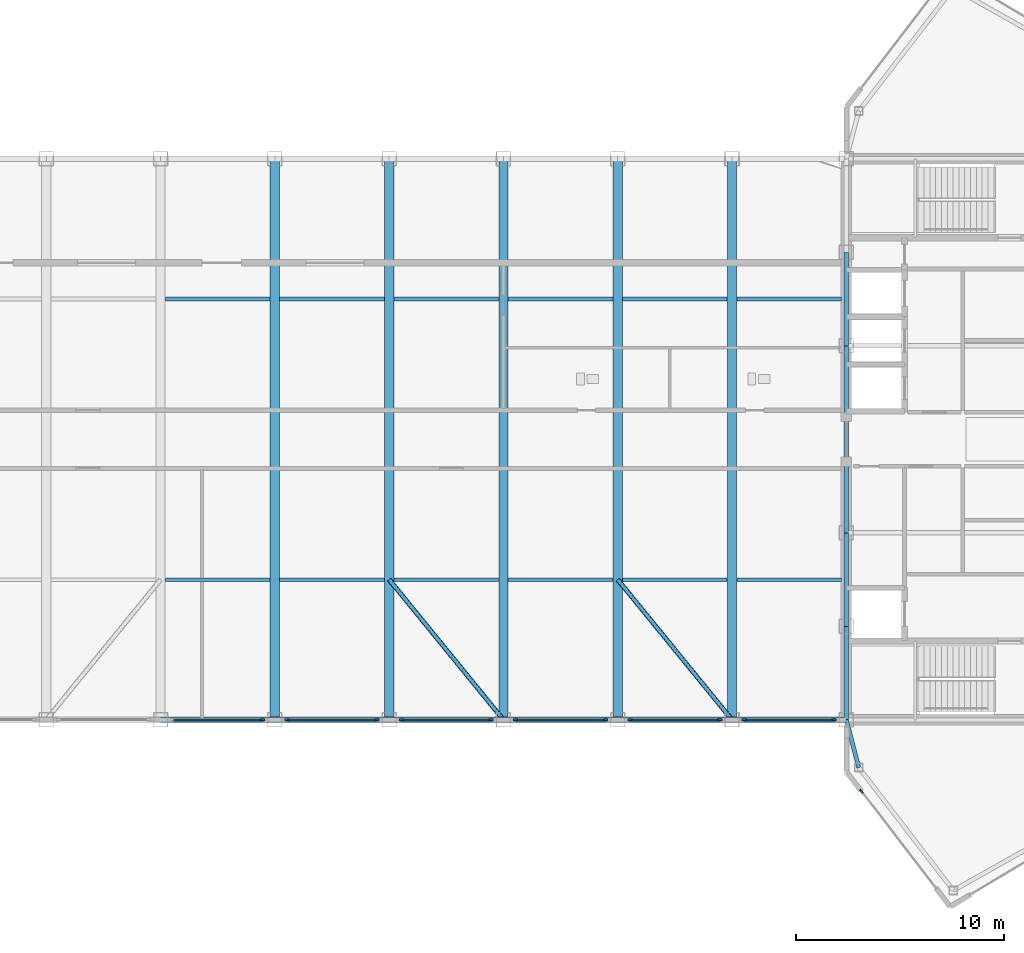
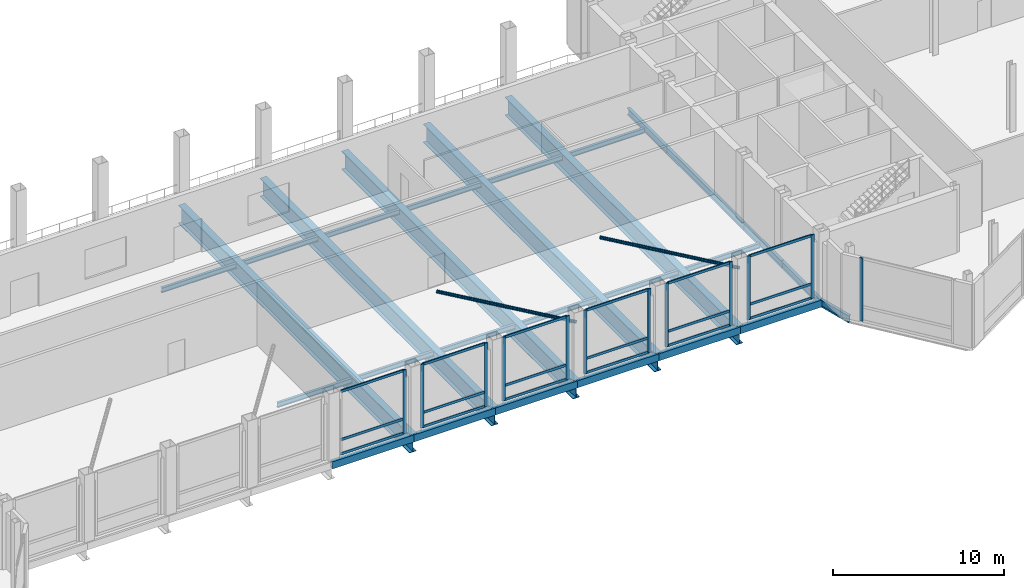
# One storey, part 13 of 28: 32 members, 28 beams, 7 elements without a shape of their own.
"""IFC4 building model written with IfcOpenShell, lengths in metres."""

from ifc_helpers import new_model, si_unit, direction, frame, origin, origin_2d, place, context, subcontext, project, spatial, rectangle, hollow_rectangle, hollow_circle, i_section, extrude, source, transform, mapped, material, layer, layer_set, material_profile, profile_set, type_object, type_shapes, element, aggregate, save


model = new_model("IFC4")

# Units and contexts
model_context = context("Model", 3, precision=1e-05, world=origin(), true_north=direction((0.0, 1.0)))
body_context = subcontext(model_context, "Body", "Model", "MODEL_VIEW")
ifc_project = project(units=[si_unit("LENGTHUNIT", "METRE"), si_unit("AREAUNIT", "SQUARE_METRE"), si_unit("VOLUMEUNIT", "CUBIC_METRE"), si_unit("PLANEANGLEUNIT", "RADIAN"), si_unit("MASSUNIT", "GRAM", prefix="KILO")], contexts=[model_context])

# Site, building, storey
site_placement = place(None, origin())
site = spatial("IfcSite", under=ifc_project, at=site_placement, CompositionType="ELEMENT")
building_placement = place(site_placement, origin())
building = spatial("IfcBuilding", under=site, at=building_placement, Name="Seokmaru Belvedere", CompositionType="ELEMENT")
storey_placement = place(building_placement, frame((0.0, 0.0, 274.199951171875)))
storey = spatial("IfcBuildingStorey", under=building, at=storey_placement, Name="L72", CompositionType="ELEMENT", Elevation=274.199951171875)

# Beams
ifc_material_1 = material(Name="Steel SM355 (355 MPa)", Category="steel")
ifc_material_profile_1 = material_profile(ifc_material_1, i_section(OverallWidth=0.199951171875, OverallDepth=0.5, WebThickness=0.010009765625, FlangeThickness=0.01611328125, at=origin_2d()), Name="H-500x200x10x16")
ifc_profile_set_1 = profile_set([ifc_material_profile_1], Name="Steel SM355 (355 MPa)")
beam_type_1 = type_object("IfcBeamType", Name="Perimeter Spandrel Beam H-500", PredefinedType="SPANDREL", material=ifc_profile_set_1)
shared_shape_1 = source(origin(), body_context, "Body", "SweptSolid", [
    extrude(i_section(OverallWidth=0.199951171875, OverallDepth=0.5, WebThickness=0.010009765625, FlangeThickness=0.01611328125, at=origin_2d()), origin(), (0.0, 0.0, 1.0), 4.5),
])
for number, where, z_axis, x_axis, name in (
    (1, (27.5, -13.5, -0.510009765625), (0.0, 1.0, 0.0), (-1.0, 0.0, 0.0), "L72 E Portal Spine Spandrel 1"),
    (2, (27.5, -9.0, -0.510009765625), (0.0, 1.0, 0.0), (-1.0, 0.0, 0.0), "L72 E Portal Spine Spandrel 2"),
    (3, (27.5, 4.5, -0.510009765625), (0.0, 1.0, 0.0), (-1.0, 0.0, 0.0), "L72 E Portal Spine Spandrel 4"),
):
    element("IfcBeam", number, at=place(storey_placement, frame(where, z_axis=z_axis, x_axis=x_axis)), inside=storey, type_object=beam_type_1, Name=name, PredefinedType="SPANDREL", context=body_context, shape_type="MappedRepresentation", body=[
        mapped(shared_shape_1, transform((0.0, 0.0, 0.0), scale=1.0)),
    ])
shared_shape_2 = source(origin(), body_context, "Body", "SweptSolid", [
    extrude(i_section(OverallWidth=0.199951171875, OverallDepth=0.5, WebThickness=0.010009765625, FlangeThickness=0.01611328125, at=origin_2d()), origin(), (0.0, 0.0, 1.0), 9.0),
])
beam_1_placement = place(storey_placement, frame((27.5, -4.5, -0.510009765625), z_axis=(0.0, 1.0, 0.0), x_axis=(-1.0, 0.0, 0.0)))
element("IfcBeam", 4, at=beam_1_placement, inside=storey, type_object=beam_type_1, Name="L72 E Portal Spine Spandrel 3", PredefinedType="SPANDREL", context=body_context, shape_type="MappedRepresentation", body=[
    mapped(shared_shape_2, transform((0.0, 0.0, 0.0), scale=1.0)),
])
shared_shape_3 = source(origin(), body_context, "Body", "SweptSolid", [
    extrude(i_section(OverallWidth=0.199951171875, OverallDepth=0.5, WebThickness=0.010009765625, FlangeThickness=0.01611328125, at=origin_2d()), origin(), (0.0, 0.0, 1.0), 2.373046875),
])
type_shapes(beam_type_1, [shared_shape_1, shared_shape_2, shared_shape_3])
beam_2_placement = place(storey_placement, frame((28.10009765625, -15.7958984375, -0.510009765625), z_axis=(-0.252882558842, 0.967496982648, 0.0), x_axis=(-0.967496982648, -0.252882558842, 0.0)))
element("IfcBeam", 5, at=beam_2_placement, inside=storey, type_object=beam_type_1, Name="L72 E Shoulder Spine Spandrel S", PredefinedType="SPANDREL", context=body_context, shape_type="MappedRepresentation", body=[
    mapped(shared_shape_3, transform((0.0, 0.0, 0.0), scale=1.0)),
])
ifc_material_profile_2 = material_profile(ifc_material_1, hollow_rectangle(XDim=0.25, YDim=0.5, WallThickness=0.013916015625, at=origin_2d()), Name="RHS-500x250x14")
ifc_profile_set_2 = profile_set([ifc_material_profile_2], Name="Steel SM355 (355 MPa)")
beam_type_2 = type_object("IfcBeamType", Name="Bridge Edge Spandrel RHS-500", PredefinedType="SPANDREL", material=ifc_profile_set_2)
shared_shape_4 = source(origin(), body_context, "Body", "SweptSolid", [
    extrude(hollow_rectangle(XDim=0.25, YDim=0.5, WallThickness=0.013916015625, at=origin_2d()), origin(), (0.0, 0.0, 1.0), 5.5),
])
type_shapes(beam_type_2, [shared_shape_4])
for number, where, z_axis, x_axis, name in (
    (6, (-5.5, -13.5, -0.510009765625), (1.0, 0.0, 0.0), (0.0, 1.0, 0.0), "L72 Sky-Gate Bridge Edge Girder S-05"),
    (7, (0.0, -13.5, -0.510009765625), (1.0, 0.0, 0.0), (0.0, 1.0, 0.0), "L72 Sky-Gate Bridge Edge Girder S-06"),
    (8, (5.5, -13.5, -0.510009765625), (1.0, 0.0, 0.0), (0.0, 1.0, 0.0), "L72 Sky-Gate Bridge Edge Girder S-07"),
    (9, (11.0, -13.5, -0.510009765625), (1.0, 0.0, 0.0), (0.0, 1.0, 0.0), "L72 Sky-Gate Bridge Edge Girder S-08"),
    (10, (16.5, -13.5, -0.510009765625), (1.0, 0.0, 0.0), (0.0, 1.0, 0.0), "L72 Sky-Gate Bridge Edge Girder S-09"),
    (11, (22.0, -13.5, -0.510009765625), (1.0, 0.0, 0.0), (0.0, 1.0, 0.0), "L72 Sky-Gate Bridge Edge Girder S-10"),
):
    element("IfcBeam", number, at=place(storey_placement, frame(where, z_axis=z_axis, x_axis=x_axis)), inside=storey, type_object=beam_type_2, Name=name, PredefinedType="SPANDREL", context=body_context, shape_type="MappedRepresentation", body=[
        mapped(shared_shape_4, transform((0.0, 0.0, 0.0), scale=1.0)),
    ])
ifc_material_2 = material(Name="Steel HSA650 (650 MPa)", Category="steel")
ifc_material_profile_3 = material_profile(ifc_material_2, i_section(OverallWidth=0.449951171875, OverallDepth=1.300048828125, WebThickness=0.02197265625, FlangeThickness=0.0380859375, at=origin_2d()), Name="BH-1300x450x22x38")
ifc_profile_set_3 = profile_set([ifc_material_profile_3], Name="Steel HSA650 (650 MPa)")
beam_type_3 = type_object("IfcBeamType", Name="Observatory Long-Span Roof Girder BH-1300", PredefinedType="BEAM", material=ifc_profile_set_3)
shared_shape_5 = source(origin(), body_context, "Body", "SweptSolid", [
    extrude(i_section(OverallWidth=0.449951171875, OverallDepth=1.300048828125, WebThickness=0.02197265625, FlangeThickness=0.0380859375, at=origin_2d()), origin(), (0.0, 0.0, 1.0), 27.0),
])
type_shapes(beam_type_3, [shared_shape_5])
for number, where, z_axis, x_axis, name in (
    (12, (0.0, -13.5, -0.909912109375), (0.0, 1.0, 0.0), (-1.0, 0.0, 0.0), "L72 Sky-Gate Transverse Girder 05"),
    (13, (5.5, -13.5, -0.909912109375), (0.0, 1.0, 0.0), (-1.0, 0.0, 0.0), "L72 Sky-Gate Transverse Girder 06"),
    (14, (11.0, -13.5, -0.909912109375), (0.0, 1.0, 0.0), (-1.0, 0.0, 0.0), "L72 Sky-Gate Transverse Girder 07"),
    (15, (16.5, -13.5, -0.909912109375), (0.0, 1.0, 0.0), (-1.0, 0.0, 0.0), "L72 Sky-Gate Transverse Girder 08"),
    (16, (22.0, -13.5, -0.909912109375), (0.0, 1.0, 0.0), (-1.0, 0.0, 0.0), "L72 Sky-Gate Transverse Girder 09"),
):
    element("IfcBeam", number, at=place(storey_placement, frame(where, z_axis=z_axis, x_axis=x_axis)), inside=storey, type_object=beam_type_3, Name=name, PredefinedType="BEAM", context=body_context, shape_type="MappedRepresentation", body=[
        mapped(shared_shape_5, transform((0.0, 0.0, 0.0), scale=1.0)),
    ])
ifc_material_profile_4 = material_profile(ifc_material_1, i_section(OverallWidth=0.175048828125, OverallDepth=0.35009765625, WebThickness=0.007080078125, FlangeThickness=0.010986328125, at=origin_2d()), Name="H-350x175x7x11")
ifc_profile_set_4 = profile_set([ifc_material_profile_4], Name="Steel SM355 (355 MPa)")
beam_type_4 = type_object("IfcBeamType", Name="Secondary Floor Joist H-300", PredefinedType="JOIST", material=ifc_profile_set_4)
shared_shape_6 = source(origin(), body_context, "Body", "SweptSolid", [
    extrude(i_section(OverallWidth=0.175048828125, OverallDepth=0.35009765625, WebThickness=0.007080078125, FlangeThickness=0.010986328125, at=origin_2d()), origin(), (0.0, 0.0, 1.0), 5.0400390625),
])
type_shapes(beam_type_4, [shared_shape_6])
for number, where, z_axis, x_axis, name in (
    (17, (-5.27001953125, -6.75, -0.43505859375), (1.0, 0.0, 0.0), (0.0, 1.0, 0.0), "L72 Sky-Gate Secondary Joist S-05"),
    (18, (0.22998046875, -6.75, -0.43505859375), (1.0, 0.0, 0.0), (0.0, 1.0, 0.0), "L72 Sky-Gate Secondary Joist S-06"),
    (19, (5.72998046875, -6.75, -0.43505859375), (1.0, 0.0, 0.0), (0.0, 1.0, 0.0), "L72 Sky-Gate Secondary Joist S-07"),
    (20, (11.22998046875, -6.75, -0.43505859375), (1.0, 0.0, 0.0), (0.0, 1.0, 0.0), "L72 Sky-Gate Secondary Joist S-08"),
    (21, (16.72998046875, -6.75, -0.43505859375), (1.0, 0.0, 0.0), (0.0, 1.0, 0.0), "L72 Sky-Gate Secondary Joist S-09"),
    (22, (22.22998046875, -6.75, -0.43505859375), (1.0, 0.0, 0.0), (0.0, 1.0, 0.0), "L72 Sky-Gate Secondary Joist S-10"),
    (23, (-5.27001953125, 6.75, -0.43505859375), (1.0, 0.0, 0.0), (0.0, 1.0, 0.0), "L72 Sky-Gate Secondary Joist N-05"),
    (24, (0.22998046875, 6.75, -0.43505859375), (1.0, 0.0, 0.0), (0.0, 1.0, 0.0), "L72 Sky-Gate Secondary Joist N-06"),
    (25, (5.72998046875, 6.75, -0.43505859375), (1.0, 0.0, 0.0), (0.0, 1.0, 0.0), "L72 Sky-Gate Secondary Joist N-07"),
    (26, (11.22998046875, 6.75, -0.43505859375), (1.0, 0.0, 0.0), (0.0, 1.0, 0.0), "L72 Sky-Gate Secondary Joist N-08"),
    (27, (16.72998046875, 6.75, -0.43505859375), (1.0, 0.0, 0.0), (0.0, 1.0, 0.0), "L72 Sky-Gate Secondary Joist N-09"),
    (28, (22.22998046875, 6.75, -0.43505859375), (1.0, 0.0, 0.0), (0.0, 1.0, 0.0), "L72 Sky-Gate Secondary Joist N-10"),
):
    element("IfcBeam", number, at=place(storey_placement, frame(where, z_axis=z_axis, x_axis=x_axis)), inside=storey, type_object=beam_type_4, Name=name, PredefinedType="JOIST", context=body_context, shape_type="MappedRepresentation", body=[
        mapped(shared_shape_6, transform((0.0, 0.0, 0.0), scale=1.0)),
    ])

# Members
ifc_material_profile_5 = material_profile(ifc_material_1, hollow_circle(Radius=0.108154296875, WallThickness=0.00830078125, at=origin_2d()), Name="CHS-216.3x8.2")
ifc_profile_set_5 = profile_set([ifc_material_profile_5], Name="Steel SM355 (355 MPa)")
member_type_1 = type_object("IfcMemberType", Name="Observatory Roof Wind Strut CHS-216", PredefinedType="BRACE", material=ifc_profile_set_5)
shared_shape_7 = source(origin(), body_context, "Body", "SweptSolid", [
    extrude(hollow_circle(Radius=0.108154296875, WallThickness=0.00830078125, at=origin_2d()), origin(), (0.0, 0.0, 1.0), 8.70703125),
])
type_shapes(member_type_1, [shared_shape_7])
for number, where, z_axis, x_axis, name in (
    (29, (11.0, -13.5, 3.8701171875), (-0.631672951162, 0.775234985517, 0.0), (-0.775234985517, -0.631672951162, 0.0), "L72 Observatory Under-Roof Wind Strut 3"),
    (30, (22.0, -13.5, 3.8701171875), (-0.631672951162, 0.775234985517, 0.0), (-0.775234985517, -0.631672951162, 0.0), "L72 Observatory Under-Roof Wind Strut 4"),
):
    element("IfcMember", number, at=place(storey_placement, frame(where, z_axis=z_axis, x_axis=x_axis)), inside=storey, type_object=member_type_1, Name=name, PredefinedType="BRACE", context=body_context, shape_type="MappedRepresentation", body=[
        mapped(shared_shape_7, transform((0.0, 0.0, 0.0), scale=1.0)),
    ])

# Curtain wall, members
ifc_material_3 = material(Name="Bronze Triple Insulating Glass", Category="glass")
ifc_layer = layer(ifc_material_3, 0.219970703125)
ifc_layer_set = layer_set([ifc_layer], Name="Bronze Triple Insulating Glass")
curtain_wall_type = type_object("IfcCurtainWallType", Name="Sky-Gate Bridge Panorama Curtain Wall System CW-6", PredefinedType="NOTDEFINED", material=ifc_layer_set)
curtain_wall_1_placement = place(storey_placement, origin())
curtain_wall_1 = element("IfcCurtainWall", 31, at=curtain_wall_1_placement, inside=storey, type_object=curtain_wall_type, Name="L72 Curtain Wall BR_S05", PredefinedType="NOTDEFINED")
ifc_material_4 = material(Name="Anodised Bronze Aluminium", Category="aluminium")
ifc_material_profile_6 = material_profile(ifc_material_4, rectangle(XDim=0.074951171875, YDim=0.179931640625, at=origin_2d()), Name="CW-T-75x180")
ifc_profile_set_6 = profile_set([ifc_material_profile_6], Name="Anodised Bronze Aluminium")
member_type_2 = type_object("IfcMemberType", Name="Bronze Unitised Transom 75x180", PredefinedType="USERDEFINED", material=ifc_profile_set_6)
shared_shape_8 = source(origin(), body_context, "Body", "SweptSolid", [
    extrude(rectangle(XDim=0.074951171875, YDim=0.179931640625, at=origin_2d()), origin(), (0.0, 0.0, 1.0), 4.240234375),
])
type_shapes(member_type_2, [shared_shape_8])
member_1_placement = place(storey_placement, frame((-4.8701171875, -13.5, 0.03759765625), z_axis=(1.0, 0.0, 0.0), x_axis=(0.0, 1.0, 0.0)))
member_1 = element("IfcMember", 32, at=member_1_placement, type_object=member_type_2, Name="CW:L72:BR_S05 Continuous Transom 1", ObjectType="TRANSOM", PredefinedType="USERDEFINED", context=body_context, shape_type="MappedRepresentation", body=[
    mapped(shared_shape_8, transform((0.0, 0.0, 0.0), scale=1.0)),
])
member_2_placement = place(storey_placement, frame((-4.8701171875, -13.5, 4.482666015625), z_axis=(1.0, 0.0, 0.0), x_axis=(0.0, 1.0, 0.0)))
member_2 = element("IfcMember", 33, at=member_2_placement, type_object=member_type_2, Name="CW:L72:BR_S05 Continuous Transom 2", ObjectType="TRANSOM", PredefinedType="USERDEFINED", context=body_context, shape_type="MappedRepresentation", body=[
    mapped(shared_shape_8, transform((0.0, 0.0, 0.0), scale=1.0)),
])
member_3_placement = place(storey_placement, frame((-4.8701171875, -13.5, 1.050048828125), z_axis=(1.0, 0.0, 0.0), x_axis=(0.0, 1.0, 0.0)))
member_3 = element("IfcMember", 34, at=member_3_placement, type_object=member_type_2, Name="CW:L72:BR_S05 Spandrel Transom 1", ObjectType="TRANSOM", PredefinedType="USERDEFINED", context=body_context, shape_type="MappedRepresentation", body=[
    mapped(shared_shape_8, transform((0.0, 0.0, 0.0), scale=1.0)),
])

curtain_wall_2_placement = place(storey_placement, origin())
curtain_wall_2 = element("IfcCurtainWall", 35, at=curtain_wall_2_placement, inside=storey, type_object=curtain_wall_type, Name="L72 Curtain Wall BR_S06", PredefinedType="NOTDEFINED")
member_4_placement = place(storey_placement, frame((0.6298828125, -13.5, 0.03759765625), z_axis=(1.0, 0.0, 0.0), x_axis=(0.0, 1.0, 0.0)))
member_4 = element("IfcMember", 36, at=member_4_placement, type_object=member_type_2, Name="CW:L72:BR_S06 Continuous Transom 1", ObjectType="TRANSOM", PredefinedType="USERDEFINED", context=body_context, shape_type="MappedRepresentation", body=[
    mapped(shared_shape_8, transform((0.0, 0.0, 0.0), scale=1.0)),
])
member_5_placement = place(storey_placement, frame((0.6298828125, -13.5, 4.482666015625), z_axis=(1.0, 0.0, 0.0), x_axis=(0.0, 1.0, 0.0)))
member_5 = element("IfcMember", 37, at=member_5_placement, type_object=member_type_2, Name="CW:L72:BR_S06 Continuous Transom 2", ObjectType="TRANSOM", PredefinedType="USERDEFINED", context=body_context, shape_type="MappedRepresentation", body=[
    mapped(shared_shape_8, transform((0.0, 0.0, 0.0), scale=1.0)),
])
member_6_placement = place(storey_placement, frame((0.6298828125, -13.5, 1.050048828125), z_axis=(1.0, 0.0, 0.0), x_axis=(0.0, 1.0, 0.0)))
member_6 = element("IfcMember", 38, at=member_6_placement, type_object=member_type_2, Name="CW:L72:BR_S06 Spandrel Transom 1", ObjectType="TRANSOM", PredefinedType="USERDEFINED", context=body_context, shape_type="MappedRepresentation", body=[
    mapped(shared_shape_8, transform((0.0, 0.0, 0.0), scale=1.0)),
])

curtain_wall_3_placement = place(storey_placement, origin())
curtain_wall_3 = element("IfcCurtainWall", 39, at=curtain_wall_3_placement, inside=storey, type_object=curtain_wall_type, Name="L72 Curtain Wall BR_S07", PredefinedType="NOTDEFINED")
member_7_placement = place(storey_placement, frame((6.1298828125, -13.5, 0.03759765625), z_axis=(1.0, 0.0, 0.0), x_axis=(0.0, 1.0, 0.0)))
member_7 = element("IfcMember", 40, at=member_7_placement, type_object=member_type_2, Name="CW:L72:BR_S07 Continuous Transom 1", ObjectType="TRANSOM", PredefinedType="USERDEFINED", context=body_context, shape_type="MappedRepresentation", body=[
    mapped(shared_shape_8, transform((0.0, 0.0, 0.0), scale=1.0)),
])
member_8_placement = place(storey_placement, frame((6.1298828125, -13.5, 4.482666015625), z_axis=(1.0, 0.0, 0.0), x_axis=(0.0, 1.0, 0.0)))
member_8 = element("IfcMember", 41, at=member_8_placement, type_object=member_type_2, Name="CW:L72:BR_S07 Continuous Transom 2", ObjectType="TRANSOM", PredefinedType="USERDEFINED", context=body_context, shape_type="MappedRepresentation", body=[
    mapped(shared_shape_8, transform((0.0, 0.0, 0.0), scale=1.0)),
])
member_9_placement = place(storey_placement, frame((6.1298828125, -13.5, 1.050048828125), z_axis=(1.0, 0.0, 0.0), x_axis=(0.0, 1.0, 0.0)))
member_9 = element("IfcMember", 42, at=member_9_placement, type_object=member_type_2, Name="CW:L72:BR_S07 Spandrel Transom 1", ObjectType="TRANSOM", PredefinedType="USERDEFINED", context=body_context, shape_type="MappedRepresentation", body=[
    mapped(shared_shape_8, transform((0.0, 0.0, 0.0), scale=1.0)),
])

curtain_wall_4_placement = place(storey_placement, origin())
curtain_wall_4 = element("IfcCurtainWall", 43, at=curtain_wall_4_placement, inside=storey, type_object=curtain_wall_type, Name="L72 Curtain Wall BR_S08", PredefinedType="NOTDEFINED")
member_10_placement = place(storey_placement, frame((11.6298828125, -13.5, 0.03759765625), z_axis=(1.0, 0.0, 0.0), x_axis=(0.0, 1.0, 0.0)))
member_10 = element("IfcMember", 44, at=member_10_placement, type_object=member_type_2, Name="CW:L72:BR_S08 Continuous Transom 1", ObjectType="TRANSOM", PredefinedType="USERDEFINED", context=body_context, shape_type="MappedRepresentation", body=[
    mapped(shared_shape_8, transform((0.0, 0.0, 0.0), scale=1.0)),
])
member_11_placement = place(storey_placement, frame((11.6298828125, -13.5, 4.482666015625), z_axis=(1.0, 0.0, 0.0), x_axis=(0.0, 1.0, 0.0)))
member_11 = element("IfcMember", 45, at=member_11_placement, type_object=member_type_2, Name="CW:L72:BR_S08 Continuous Transom 2", ObjectType="TRANSOM", PredefinedType="USERDEFINED", context=body_context, shape_type="MappedRepresentation", body=[
    mapped(shared_shape_8, transform((0.0, 0.0, 0.0), scale=1.0)),
])
member_12_placement = place(storey_placement, frame((11.6298828125, -13.5, 1.050048828125), z_axis=(1.0, 0.0, 0.0), x_axis=(0.0, 1.0, 0.0)))
member_12 = element("IfcMember", 46, at=member_12_placement, type_object=member_type_2, Name="CW:L72:BR_S08 Spandrel Transom 1", ObjectType="TRANSOM", PredefinedType="USERDEFINED", context=body_context, shape_type="MappedRepresentation", body=[
    mapped(shared_shape_8, transform((0.0, 0.0, 0.0), scale=1.0)),
])

curtain_wall_5_placement = place(storey_placement, origin())
curtain_wall_5 = element("IfcCurtainWall", 47, at=curtain_wall_5_placement, inside=storey, type_object=curtain_wall_type, Name="L72 Curtain Wall BR_S09", PredefinedType="NOTDEFINED")
member_13_placement = place(storey_placement, frame((17.1298828125, -13.5, 0.03759765625), z_axis=(1.0, 0.0, 0.0), x_axis=(0.0, 1.0, 0.0)))
member_13 = element("IfcMember", 48, at=member_13_placement, type_object=member_type_2, Name="CW:L72:BR_S09 Continuous Transom 1", ObjectType="TRANSOM", PredefinedType="USERDEFINED", context=body_context, shape_type="MappedRepresentation", body=[
    mapped(shared_shape_8, transform((0.0, 0.0, 0.0), scale=1.0)),
])
member_14_placement = place(storey_placement, frame((17.1298828125, -13.5, 4.482666015625), z_axis=(1.0, 0.0, 0.0), x_axis=(0.0, 1.0, 0.0)))
member_14 = element("IfcMember", 49, at=member_14_placement, type_object=member_type_2, Name="CW:L72:BR_S09 Continuous Transom 2", ObjectType="TRANSOM", PredefinedType="USERDEFINED", context=body_context, shape_type="MappedRepresentation", body=[
    mapped(shared_shape_8, transform((0.0, 0.0, 0.0), scale=1.0)),
])
member_15_placement = place(storey_placement, frame((17.1298828125, -13.5, 1.050048828125), z_axis=(1.0, 0.0, 0.0), x_axis=(0.0, 1.0, 0.0)))
member_15 = element("IfcMember", 50, at=member_15_placement, type_object=member_type_2, Name="CW:L72:BR_S09 Spandrel Transom 1", ObjectType="TRANSOM", PredefinedType="USERDEFINED", context=body_context, shape_type="MappedRepresentation", body=[
    mapped(shared_shape_8, transform((0.0, 0.0, 0.0), scale=1.0)),
])

curtain_wall_6_placement = place(storey_placement, origin())
curtain_wall_6 = element("IfcCurtainWall", 51, at=curtain_wall_6_placement, inside=storey, type_object=curtain_wall_type, Name="L72 Curtain Wall BR_S10", PredefinedType="NOTDEFINED")
member_16_placement = place(storey_placement, frame((22.6298828125, -13.5, 0.03759765625), z_axis=(1.0, 0.0, 0.0), x_axis=(0.0, 1.0, 0.0)))
member_16 = element("IfcMember", 52, at=member_16_placement, type_object=member_type_2, Name="CW:L72:BR_S10 Continuous Transom 1", ObjectType="TRANSOM", PredefinedType="USERDEFINED", context=body_context, shape_type="MappedRepresentation", body=[
    mapped(shared_shape_8, transform((0.0, 0.0, 0.0), scale=1.0)),
])
member_17_placement = place(storey_placement, frame((22.6298828125, -13.5, 4.482666015625), z_axis=(1.0, 0.0, 0.0), x_axis=(0.0, 1.0, 0.0)))
member_17 = element("IfcMember", 53, at=member_17_placement, type_object=member_type_2, Name="CW:L72:BR_S10 Continuous Transom 2", ObjectType="TRANSOM", PredefinedType="USERDEFINED", context=body_context, shape_type="MappedRepresentation", body=[
    mapped(shared_shape_8, transform((0.0, 0.0, 0.0), scale=1.0)),
])
member_18_placement = place(storey_placement, frame((22.6298828125, -13.5, 1.050048828125), z_axis=(1.0, 0.0, 0.0), x_axis=(0.0, 1.0, 0.0)))
member_18 = element("IfcMember", 54, at=member_18_placement, type_object=member_type_2, Name="CW:L72:BR_S10 Spandrel Transom 1", ObjectType="TRANSOM", PredefinedType="USERDEFINED", context=body_context, shape_type="MappedRepresentation", body=[
    mapped(shared_shape_8, transform((0.0, 0.0, 0.0), scale=1.0)),
])

# Curtain wall, member
curtain_wall_7_placement = place(storey_placement, origin())
curtain_wall_7 = element("IfcCurtainWall", 55, at=curtain_wall_7_placement, inside=storey, type_object=curtain_wall_type, Name="L72 Curtain Wall EF6", PredefinedType="NOTDEFINED")
ifc_material_profile_7 = material_profile(ifc_material_4, rectangle(XDim=0.080078125, YDim=0.219970703125, at=origin_2d()), Name="CW-M-80x220")
ifc_profile_set_7 = profile_set([ifc_material_profile_7], Name="Anodised Bronze Aluminium")
member_type_3 = type_object("IfcMemberType", Name="Bronze Unitised Mullion 80x220", PredefinedType="MULLION", material=ifc_profile_set_7)
shared_shape_9 = source(origin(), body_context, "Body", "SweptSolid", [
    extrude(rectangle(XDim=0.080078125, YDim=0.219970703125, at=origin_2d()), origin(), (0.0, 0.0, 1.0), 4.52001953125),
])
type_shapes(member_type_3, [shared_shape_9])
member_19_placement = place(storey_placement, frame((28.2255859375, -16.943115234375, 0.0), z_axis=(0.0, 0.0, 1.0), x_axis=(0.792631353244, 0.609701187349, 0.0)))
member_19 = element("IfcMember", 56, at=member_19_placement, type_object=member_type_3, Name="CW:L72:EF6 Mullion 1", PredefinedType="MULLION", context=body_context, shape_type="MappedRepresentation", body=[
    mapped(shared_shape_9, transform((0.0, 0.0, 0.0), scale=1.0)),
])
aggregate(curtain_wall_7, [member_19])

# Member
member_20_placement = place(storey_placement, frame((-0.590087890625, -13.5, 0.0), z_axis=(0.0, 0.0, 1.0), x_axis=(0.0, 1.0, 0.0)))
member_20 = element("IfcMember", 57, at=member_20_placement, type_object=member_type_3, Name="CW:L72:BR_S05 Mullion 2", PredefinedType="MULLION", context=body_context, shape_type="MappedRepresentation", body=[
    mapped(shared_shape_9, transform((0.0, 0.0, 0.0), scale=1.0)),
])

aggregate(curtain_wall_1, [member_20, member_1, member_2, member_3])

member_21_placement = place(storey_placement, frame((0.590087890625, -13.5, 0.0), z_axis=(0.0, 0.0, 1.0), x_axis=(0.0, 1.0, 0.0)))
member_21 = element("IfcMember", 58, at=member_21_placement, type_object=member_type_3, Name="CW:L72:BR_S06 Mullion 1", PredefinedType="MULLION", context=body_context, shape_type="MappedRepresentation", body=[
    mapped(shared_shape_9, transform((0.0, 0.0, 0.0), scale=1.0)),
])

member_22_placement = place(storey_placement, frame((4.909912109375, -13.5, 0.0), z_axis=(0.0, 0.0, 1.0), x_axis=(0.0, 1.0, 0.0)))
member_22 = element("IfcMember", 59, at=member_22_placement, type_object=member_type_3, Name="CW:L72:BR_S06 Mullion 2", PredefinedType="MULLION", context=body_context, shape_type="MappedRepresentation", body=[
    mapped(shared_shape_9, transform((0.0, 0.0, 0.0), scale=1.0)),
])

aggregate(curtain_wall_2, [member_21, member_22, member_4, member_5, member_6])

member_23_placement = place(storey_placement, frame((6.090087890625, -13.5, 0.0), z_axis=(0.0, 0.0, 1.0), x_axis=(0.0, 1.0, 0.0)))
member_23 = element("IfcMember", 60, at=member_23_placement, type_object=member_type_3, Name="CW:L72:BR_S07 Mullion 1", PredefinedType="MULLION", context=body_context, shape_type="MappedRepresentation", body=[
    mapped(shared_shape_9, transform((0.0, 0.0, 0.0), scale=1.0)),
])

member_24_placement = place(storey_placement, frame((10.409912109375, -13.5, 0.0), z_axis=(0.0, 0.0, 1.0), x_axis=(0.0, 1.0, 0.0)))
member_24 = element("IfcMember", 61, at=member_24_placement, type_object=member_type_3, Name="CW:L72:BR_S07 Mullion 2", PredefinedType="MULLION", context=body_context, shape_type="MappedRepresentation", body=[
    mapped(shared_shape_9, transform((0.0, 0.0, 0.0), scale=1.0)),
])

aggregate(curtain_wall_3, [member_23, member_24, member_7, member_8, member_9])

member_25_placement = place(storey_placement, frame((11.590087890625, -13.5, 0.0), z_axis=(0.0, 0.0, 1.0), x_axis=(0.0, 1.0, 0.0)))
member_25 = element("IfcMember", 62, at=member_25_placement, type_object=member_type_3, Name="CW:L72:BR_S08 Mullion 1", PredefinedType="MULLION", context=body_context, shape_type="MappedRepresentation", body=[
    mapped(shared_shape_9, transform((0.0, 0.0, 0.0), scale=1.0)),
])

member_26_placement = place(storey_placement, frame((15.909912109375, -13.5, 0.0), z_axis=(0.0, 0.0, 1.0), x_axis=(0.0, 1.0, 0.0)))
member_26 = element("IfcMember", 63, at=member_26_placement, type_object=member_type_3, Name="CW:L72:BR_S08 Mullion 2", PredefinedType="MULLION", context=body_context, shape_type="MappedRepresentation", body=[
    mapped(shared_shape_9, transform((0.0, 0.0, 0.0), scale=1.0)),
])

aggregate(curtain_wall_4, [member_25, member_26, member_10, member_11, member_12])

member_27_placement = place(storey_placement, frame((17.090087890625, -13.5, 0.0), z_axis=(0.0, 0.0, 1.0), x_axis=(0.0, 1.0, 0.0)))
member_27 = element("IfcMember", 64, at=member_27_placement, type_object=member_type_3, Name="CW:L72:BR_S09 Mullion 1", PredefinedType="MULLION", context=body_context, shape_type="MappedRepresentation", body=[
    mapped(shared_shape_9, transform((0.0, 0.0, 0.0), scale=1.0)),
])

member_28_placement = place(storey_placement, frame((21.409912109375, -13.5, 0.0), z_axis=(0.0, 0.0, 1.0), x_axis=(0.0, 1.0, 0.0)))
member_28 = element("IfcMember", 65, at=member_28_placement, type_object=member_type_3, Name="CW:L72:BR_S09 Mullion 2", PredefinedType="MULLION", context=body_context, shape_type="MappedRepresentation", body=[
    mapped(shared_shape_9, transform((0.0, 0.0, 0.0), scale=1.0)),
])

aggregate(curtain_wall_5, [member_27, member_28, member_13, member_14, member_15])

member_29_placement = place(storey_placement, frame((22.590087890625, -13.5, 0.0), z_axis=(0.0, 0.0, 1.0), x_axis=(0.0, 1.0, 0.0)))
member_29 = element("IfcMember", 66, at=member_29_placement, type_object=member_type_3, Name="CW:L72:BR_S10 Mullion 1", PredefinedType="MULLION", context=body_context, shape_type="MappedRepresentation", body=[
    mapped(shared_shape_9, transform((0.0, 0.0, 0.0), scale=1.0)),
])

member_30_placement = place(storey_placement, frame((26.909912109375, -13.5, 0.0), z_axis=(0.0, 0.0, 1.0), x_axis=(0.0, 1.0, 0.0)))
member_30 = element("IfcMember", 67, at=member_30_placement, type_object=member_type_3, Name="CW:L72:BR_S10 Mullion 2", PredefinedType="MULLION", context=body_context, shape_type="MappedRepresentation", body=[
    mapped(shared_shape_9, transform((0.0, 0.0, 0.0), scale=1.0)),
])

aggregate(curtain_wall_6, [member_29, member_30, member_16, member_17, member_18])

save(model, "model.ifc")
